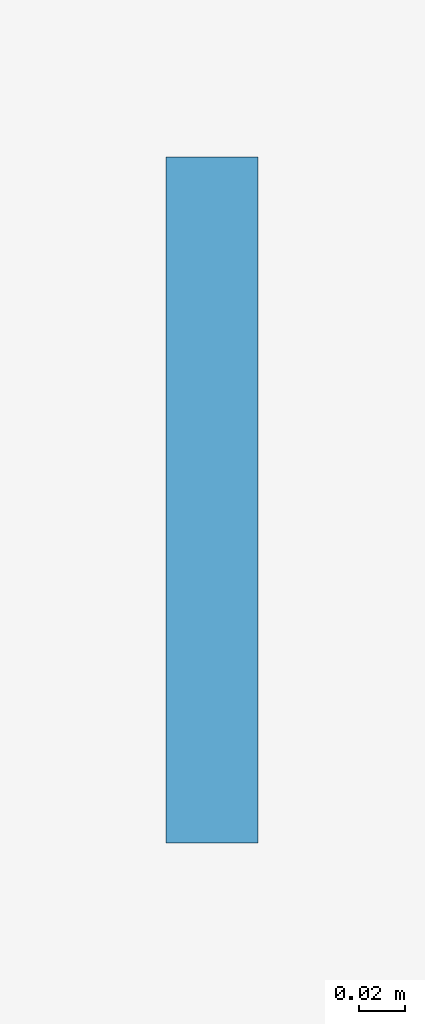
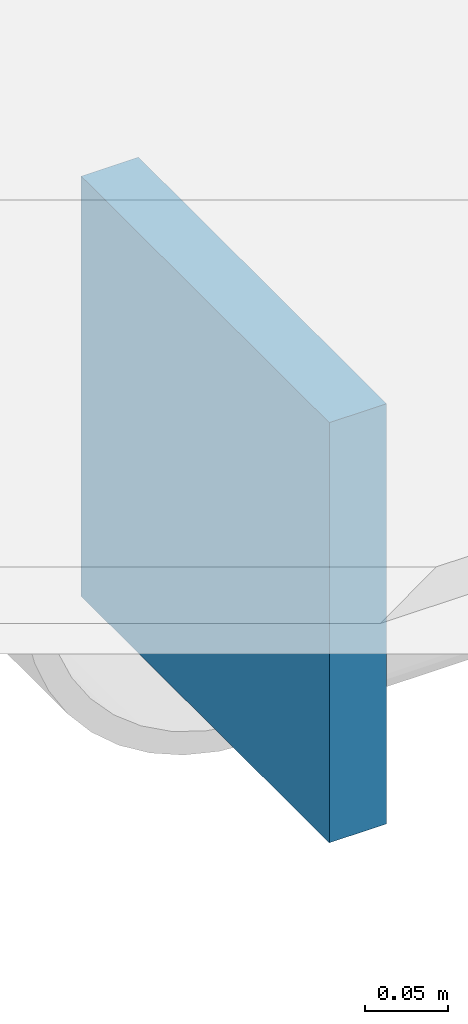
# One storey, part 17 of 25: 1 plate.
"""IFC4 building model written with IfcOpenShell, lengths in metres."""

from ifc_helpers import new_model, si_unit, direction, frame, origin, origin_2d, place, context, subcontext, project, spatial, rectangle, extrude, material, layer, layer_set, type_object, element, save


model = new_model("IFC4")

# Units and contexts
model_context = context("Model", 3, precision=1e-05, world=origin(), true_north=direction((0.0, 1.0)))
body_context = subcontext(model_context, "Body", "Model", "MODEL_VIEW")
ifc_project = project(units=[si_unit("LENGTHUNIT", "METRE"), si_unit("AREAUNIT", "SQUARE_METRE"), si_unit("VOLUMEUNIT", "CUBIC_METRE"), si_unit("PLANEANGLEUNIT", "RADIAN"), si_unit("MASSUNIT", "GRAM", prefix="KILO"), si_unit("THERMODYNAMICTEMPERATUREUNIT", "KELVIN"), si_unit("POWERUNIT", "WATT")], contexts=[model_context])

# Site, building, storey
site_placement = place(None, origin())
site = spatial("IfcSite", under=ifc_project, at=site_placement, CompositionType="ELEMENT")
building_placement = place(site_placement, origin())
building = spatial("IfcBuilding", under=site, at=building_placement, Name="Svarakhadi Broadcast Tower", CompositionType="ELEMENT")
storey_placement = place(building_placement, frame((0.0, 0.0, 212.39990234375)))
storey = spatial("IfcBuildingStorey", under=building, at=storey_placement, Name="L52", CompositionType="ELEMENT", Elevation=212.39990234375)

# Plate
ifc_material = material(Name="Steel S460ML (IS 2062 E450BR)", Category="steel")
ifc_layer = layer(ifc_material, 0.028076171875)
ifc_layer_set = layer_set([ifc_layer], Name="Steel S460ML (IS 2062 E450BR)")
plate_type = type_object("IfcPlateType", Name="Cap_Plate_CP02", PredefinedType="USERDEFINED", material=ifc_layer_set)
plate_placement = place(storey_placement, frame((29.985107421875, -1.800048828125, -0.5048828125), z_axis=(0.0, 0.0, 1.0), x_axis=(1.0, 0.0, 0.0)))
element("IfcPlate", 1, at=plate_placement, inside=storey, type_object=plate_type, Name="L52 Balcony Spandrel End Cap Plate 1F-A", ObjectType="FLANGE_PLATE", PredefinedType="USERDEFINED", context=body_context, shape_type="SweptSolid", body=[
    extrude(rectangle(XDim=0.0400390625, YDim=0.300048828125, at=origin_2d()), origin(), (0.0, 0.0, 1.0), 0.31005859375),
])

save(model, "model.ifc")
